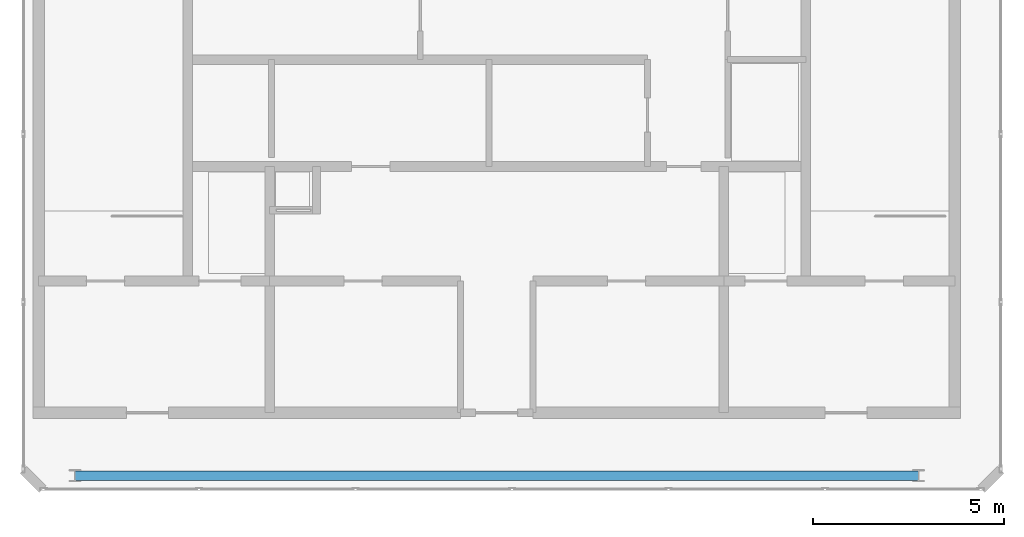
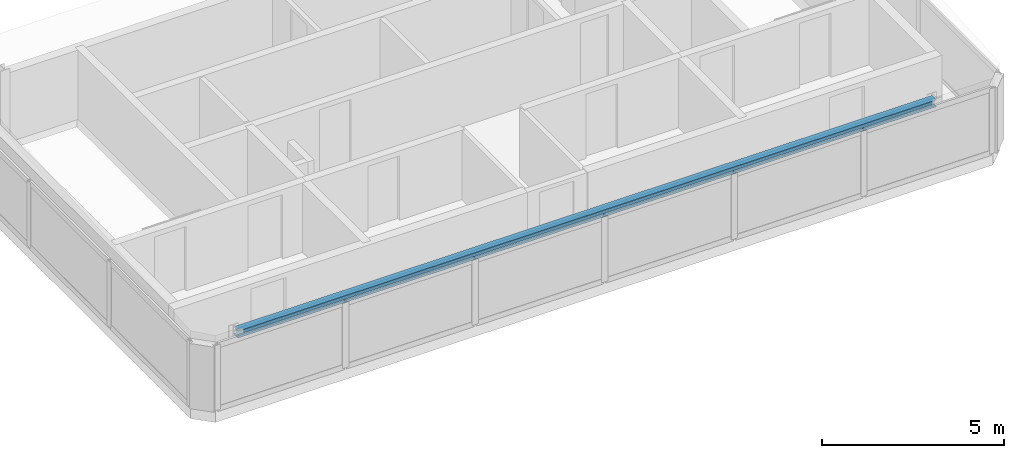
# One storey, part 3 of 9: 1 beam.
"""IFC4 building model written with IfcOpenShell, lengths in metres."""

from ifc_helpers import new_model, si_unit, direction, frame, origin, origin_2d, place, context, subcontext, project, spatial, i_section, extrude, material, material_profile, profile_set, type_object, element, save


model = new_model("IFC4")

# Units and contexts
model_context = context("Model", 3, precision=1e-05, world=origin(), true_north=direction((0.0, 1.0)))
body_context = subcontext(model_context, "Body", "Model", "MODEL_VIEW")
ifc_project = project(units=[si_unit("LENGTHUNIT", "METRE"), si_unit("AREAUNIT", "SQUARE_METRE"), si_unit("VOLUMEUNIT", "CUBIC_METRE"), si_unit("PLANEANGLEUNIT", "RADIAN"), si_unit("MASSUNIT", "GRAM", prefix="KILO")], contexts=[model_context])

# Site, building, storey
site_placement = place(None, origin())
site = spatial("IfcSite", under=ifc_project, at=site_placement, CompositionType="ELEMENT")
building_placement = place(site_placement, origin())
building = spatial("IfcBuilding", under=site, at=building_placement, Name="Catumbela Crestline Tower", CompositionType="ELEMENT")
storey_placement = place(building_placement, frame((0.0, 0.0, 318.5)))
storey = spatial("IfcBuildingStorey", under=building, at=storey_placement, Name="L82", CompositionType="ELEMENT", Elevation=318.5)

# Beam
ifc_material = material(Name="Structural steel S355J2", Category="steel")
ifc_material_profile = material_profile(ifc_material, i_section(OverallWidth=0.24, OverallDepth=0.24, WebThickness=0.01, FlangeThickness=0.017, FilletRadius=0.021, at=origin_2d()), Name="HEB 240")
ifc_profile_set = profile_set([ifc_material_profile], Name="Structural steel S355J2")
beam_type = type_object("IfcBeamType", Name="BS-HEB240", PredefinedType="SPANDREL", material=ifc_profile_set)
beam_placement = place(storey_placement, frame((16.95, 29.15, 2.08), z_axis=(1.0, 0.0, 0.0), x_axis=(0.0, 1.0, 0.0)))
element("IfcBeam", 1, at=beam_placement, inside=storey, type_object=beam_type, Name="L82 Spandrel SP-L82-S1", PredefinedType="SPANDREL", context=body_context, shape_type="SweptSolid", body=[
    extrude(i_section(OverallWidth=0.24, OverallDepth=0.24, WebThickness=0.01, FlangeThickness=0.017, FilletRadius=0.021, at=origin_2d()), origin(), (0.0, 0.0, 1.0), 22.1),
])

save(model, "model.ifc")
